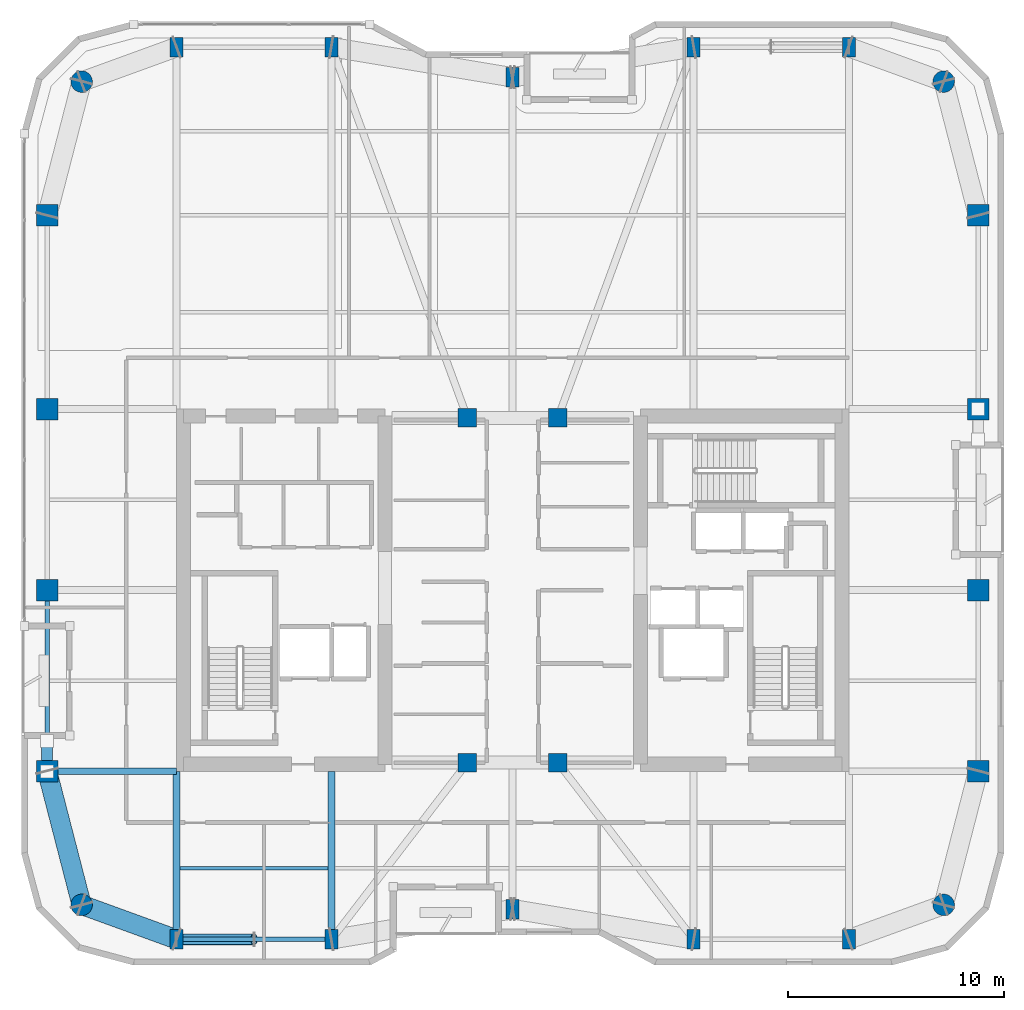
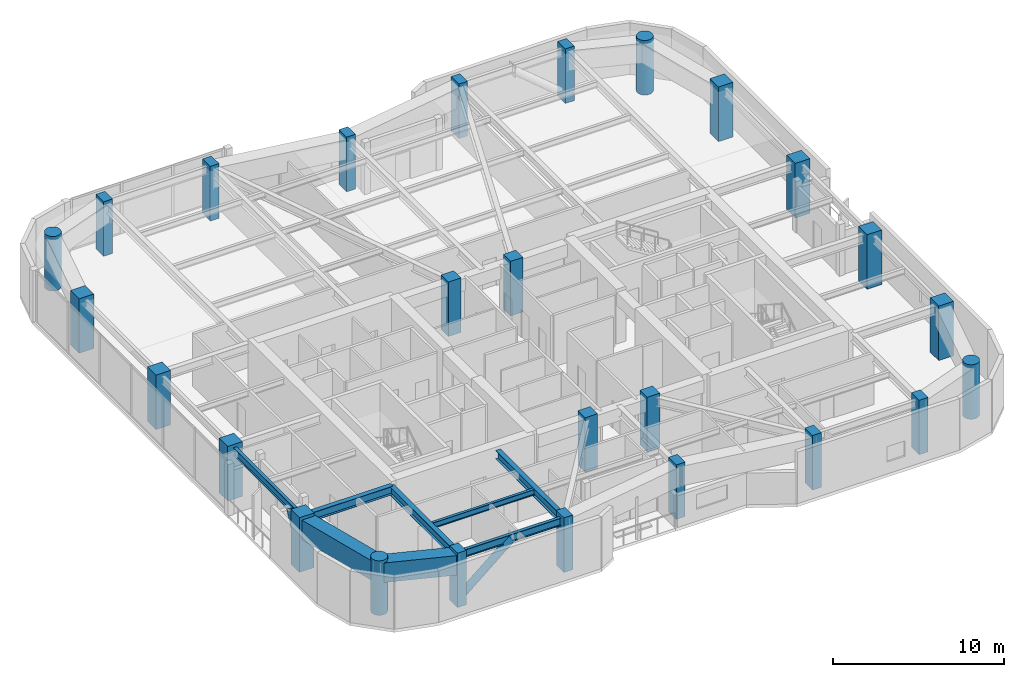
# One storey, part 1 of 21: 26 columns, 8 beams, 2 members.
"""IFC4 building model written with IfcOpenShell, lengths in metres."""

from ifc_helpers import new_model, si_unit, direction, frame, origin, origin_2d, place, context, subcontext, project, spatial, rectangle, hollow_rectangle, circle, hollow_circle, i_section, extrude, material, material_profile, profile_set, type_object, element, save


model = new_model("IFC4")

# Units and contexts
model_context = context("Model", 3, precision=1e-05, world=origin(), true_north=direction((0.0, 1.0)))
body_context = subcontext(model_context, "Body", "Model", "MODEL_VIEW")
ifc_project = project(units=[si_unit("LENGTHUNIT", "METRE"), si_unit("AREAUNIT", "SQUARE_METRE"), si_unit("VOLUMEUNIT", "CUBIC_METRE"), si_unit("PLANEANGLEUNIT", "RADIAN"), si_unit("MASSUNIT", "GRAM", prefix="KILO")], contexts=[model_context])

# Site, building, storey
site_placement = place(None, origin())
site = spatial("IfcSite", under=ifc_project, at=site_placement, CompositionType="ELEMENT")
building_placement = place(site_placement, origin())
building = spatial("IfcBuilding", under=site, at=building_placement, Name="Kiyonajd Concourse Tower", CompositionType="ELEMENT")
storey_placement = place(building_placement, frame((0.0, 0.0, 247.199951171875)))
storey = spatial("IfcBuildingStorey", under=building, at=storey_placement, Name="L62", CompositionType="ELEMENT", Elevation=247.199951171875)

# Columns
ifc_material_1 = material(Name="Concrete C60/75", Category="concrete")
ifc_material_profile_1 = material_profile(ifc_material_1, rectangle(XDim=0.60009765625, YDim=0.89990234375, at=origin_2d()), Name="RC-900x600")
ifc_profile_set_1 = profile_set([ifc_material_profile_1], Name="Concrete C60/75")
column_type_1 = type_object("IfcColumnType", Name="CL-BLADE-900", PredefinedType="COLUMN", material=ifc_profile_set_1)
for number, where, z_axis, x_axis, name in (
    (1, (32.39990234375, 19.800048828125, 0.0), (0.0, 0.0, 1.0), (1.0, 0.0, 0.0), "L62 Perimeter Bundled Tube Column"),
    (2, (32.39990234375, 61.199951171875, 0.0), (0.0, 0.0, 1.0), (1.0, 0.0, 0.0), "L62 Perimeter Bundled Tube Column"),
    (3, (39.60009765625, 19.800048828125, 0.0), (0.0, 0.0, 1.0), (1.0, 0.0, 0.0), "L62 Perimeter Bundled Tube Column"),
    (4, (39.60009765625, 61.199951171875, 0.0), (0.0, 0.0, 1.0), (1.0, 0.0, 0.0), "L62 Perimeter Bundled Tube Column"),
    (5, (48.0, 21.199951171875, 0.0), (0.0, 0.0, 1.0), (1.0, 0.0, 0.0), "L62 Perimeter Bundled Tube Column"),
    (6, (48.0, 59.800048828125, 0.0), (0.0, 0.0, 1.0), (1.0, 0.0, 0.0), "L62 Perimeter Bundled Tube Column"),
    (7, (56.39990234375, 19.800048828125, 0.0), (0.0, 0.0, 1.0), (1.0, 0.0, 0.0), "L62 Perimeter Bundled Tube Column"),
    (8, (56.39990234375, 61.199951171875, 0.0), (0.0, 0.0, 1.0), (1.0, 0.0, 0.0), "L62 Perimeter Bundled Tube Column"),
    (9, (63.60009765625, 19.800048828125, 0.0), (0.0, 0.0, 1.0), (1.0, 0.0, 0.0), "L62 Perimeter Bundled Tube Column"),
    (10, (63.60009765625, 61.199951171875, 0.0), (0.0, 0.0, 1.0), (1.0, 0.0, 0.0), "L62 Perimeter Bundled Tube Column"),
):
    element("IfcColumn", number, at=place(storey_placement, frame(where, z_axis=z_axis, x_axis=x_axis)), inside=storey, type_object=column_type_1, Name=name, PredefinedType="COLUMN", context=body_context, shape_type="SweptSolid", body=[
        extrude(rectangle(XDim=0.60009765625, YDim=0.89990234375, at=origin_2d()), origin(), (0.0, 0.0, 1.0), 3.900146484375),
    ])
ifc_material_profile_2 = material_profile(ifc_material_1, circle(Radius=0.5, at=origin_2d()), Name="RCC-D1000")
ifc_profile_set_2 = profile_set([ifc_material_profile_2], Name="Concrete C60/75")
column_type_2 = type_object("IfcColumnType", Name="CL-RND-1000", PredefinedType="COLUMN", material=ifc_profile_set_2)
for number, where, z_axis, x_axis, name in (
    (11, (28.0, 21.39990234375, 0.0), (0.0, 0.0, 1.0), (1.0, 0.0, 0.0), "L62 Bundled Tube Corner Column South West"),
    (12, (68.0, 21.39990234375, 0.0), (0.0, 0.0, 1.0), (1.0, 0.0, 0.0), "L62 Bundled Tube Corner Column South East"),
    (13, (68.0, 59.60009765625, 0.0), (0.0, 0.0, 1.0), (1.0, 0.0, 0.0), "L62 Bundled Tube Corner Column North East"),
    (14, (28.0, 59.60009765625, 0.0), (0.0, 0.0, 1.0), (1.0, 0.0, 0.0), "L62 Bundled Tube Corner Column North West"),
):
    element("IfcColumn", number, at=place(storey_placement, frame(where, z_axis=z_axis, x_axis=x_axis)), inside=storey, type_object=column_type_2, Name=name, PredefinedType="COLUMN", context=body_context, shape_type="SweptSolid", body=[
        extrude(circle(Radius=0.5, at=origin_2d()), origin(), (0.0, 0.0, 1.0), 3.900146484375),
    ])
ifc_material_profile_3 = material_profile(ifc_material_1, rectangle(XDim=1.0, YDim=1.0, at=origin_2d()), Name="RC-1000x1000")
ifc_profile_set_3 = profile_set([ifc_material_profile_3], Name="Concrete C60/75")
column_type_3 = type_object("IfcColumnType", Name="CL-TUBE-1000", PredefinedType="COLUMN", material=ifc_profile_set_3)
for number, where, z_axis, x_axis, name in (
    (15, (26.39990234375, 27.60009765625, 0.0), (0.0, 0.0, 1.0), (1.0, 0.0, 0.0), "L62 Perimeter Bundled Tube Column"),
    (16, (69.60009765625, 27.60009765625, 0.0), (0.0, 0.0, 1.0), (1.0, 0.0, 0.0), "L62 Perimeter Bundled Tube Column"),
    (17, (26.39990234375, 36.0, 0.0), (0.0, 0.0, 1.0), (1.0, 0.0, 0.0), "L62 Perimeter Bundled Tube Column"),
    (18, (69.60009765625, 36.0, 0.0), (0.0, 0.0, 1.0), (1.0, 0.0, 0.0), "L62 Perimeter Bundled Tube Column"),
    (19, (26.39990234375, 44.39990234375, 0.0), (0.0, 0.0, 1.0), (1.0, 0.0, 0.0), "L62 Perimeter Bundled Tube Column"),
    (20, (69.60009765625, 44.39990234375, 0.0), (0.0, 0.0, 1.0), (1.0, 0.0, 0.0), "L62 Perimeter Bundled Tube Column"),
    (21, (26.39990234375, 53.39990234375, 0.0), (0.0, 0.0, 1.0), (1.0, 0.0, 0.0), "L62 Perimeter Bundled Tube Column"),
    (22, (69.60009765625, 53.39990234375, 0.0), (0.0, 0.0, 1.0), (1.0, 0.0, 0.0), "L62 Perimeter Bundled Tube Column"),
):
    element("IfcColumn", number, at=place(storey_placement, frame(where, z_axis=z_axis, x_axis=x_axis)), inside=storey, type_object=column_type_3, Name=name, PredefinedType="COLUMN", context=body_context, shape_type="SweptSolid", body=[
        extrude(rectangle(XDim=1.0, YDim=1.0, at=origin_2d()), origin(), (0.0, 0.0, 1.0), 3.900146484375),
    ])
ifc_material_profile_4 = material_profile(ifc_material_1, rectangle(XDim=0.85009765625, YDim=0.85009765625, at=origin_2d()), Name="RC-850x850")
ifc_profile_set_4 = profile_set([ifc_material_profile_4], Name="Concrete C60/75")
column_type_4 = type_object("IfcColumnType", Name="CL-TUBE-850", PredefinedType="COLUMN", material=ifc_profile_set_4)
for number, where, z_axis, x_axis, name in (
    (23, (45.89990234375, 28.0, 0.0), (0.0, 0.0, 1.0), (1.0, 0.0, 0.0), "L62 Core Tie Column South West"),
    (24, (50.10009765625, 28.0, 0.0), (0.0, 0.0, 1.0), (1.0, 0.0, 0.0), "L62 Core Tie Column South East"),
    (25, (45.89990234375, 44.0, 0.0), (0.0, 0.0, 1.0), (1.0, 0.0, 0.0), "L62 Core Tie Column North West"),
    (26, (50.10009765625, 44.0, 0.0), (0.0, 0.0, 1.0), (1.0, 0.0, 0.0), "L62 Core Tie Column North East"),
):
    element("IfcColumn", number, at=place(storey_placement, frame(where, z_axis=z_axis, x_axis=x_axis)), inside=storey, type_object=column_type_4, Name=name, PredefinedType="COLUMN", context=body_context, shape_type="SweptSolid", body=[
        extrude(rectangle(XDim=0.85009765625, YDim=0.85009765625, at=origin_2d()), origin(), (0.0, 0.0, 1.0), 3.900146484375),
    ])

# Beams
ifc_material_2 = material(Name="Steel ASTM A992 Grade 50", Category="steel")
ifc_material_profile_5 = material_profile(ifc_material_2, i_section(OverallWidth=0.180908203125, OverallDepth=0.4169921875, WebThickness=0.010986328125, FlangeThickness=0.018310546875, at=origin_2d()), Name="W410X85")
ifc_profile_set_5 = profile_set([ifc_material_profile_5], Name="Steel ASTM A992 Grade 50")
beam_type_1 = type_object("IfcBeamType", Name="BM-JST-410", PredefinedType="JOIST", material=ifc_profile_set_5)
beam_1_placement = place(storey_placement, frame((32.56201171875, 23.10009765625, 3.471435546875), z_axis=(1.0, 0.0, 0.0), x_axis=(0.0, 1.0, 0.0)))
element("IfcBeam", 27, at=beam_1_placement, inside=storey, type_object=beam_type_1, Name="L62 Secondary Floor Joist", PredefinedType="JOIST", context=body_context, shape_type="SweptSolid", body=[
    extrude(i_section(OverallWidth=0.180908203125, OverallDepth=0.4169921875, WebThickness=0.010986328125, FlangeThickness=0.018310546875, at=origin_2d()), origin(), (0.0, 0.0, 1.0), 6.8759765625),
])
ifc_material_profile_6 = material_profile(ifc_material_2, i_section(OverallWidth=0.214111328125, OverallDepth=0.549072265625, WebThickness=0.0146484375, FlangeThickness=0.023681640625, at=origin_2d()), Name="W530X138")
ifc_profile_set_6 = profile_set([ifc_material_profile_6], Name="Steel ASTM A992 Grade 50")
beam_type_2 = type_object("IfcBeamType", Name="BM-SPAN-530A", PredefinedType="SPANDREL", material=ifc_profile_set_6)
beam_2_placement = place(storey_placement, frame((32.39990234375, 19.800048828125, 3.405517578125), z_axis=(1.0, 0.0, 0.0), x_axis=(0.0, 1.0, 0.0)))
element("IfcBeam", 28, at=beam_2_placement, inside=storey, type_object=beam_type_2, Name="L62 Perimeter Bundled Tube Spandrel", PredefinedType="SPANDREL", context=body_context, shape_type="SweptSolid", body=[
    extrude(i_section(OverallWidth=0.214111328125, OverallDepth=0.549072265625, WebThickness=0.0146484375, FlangeThickness=0.023681640625, at=origin_2d()), origin(), (0.0, 0.0, 1.0), 7.2001953125),
])
beam_3_placement = place(storey_placement, frame((26.39990234375, 36.0, 3.405517578125), z_axis=(0.0, -1.0, 0.0), x_axis=(1.0, 0.0, 0.0)))
element("IfcBeam", 29, at=beam_3_placement, inside=storey, type_object=beam_type_2, Name="L62 Perimeter Bundled Tube Spandrel", PredefinedType="SPANDREL", context=body_context, shape_type="SweptSolid", body=[
    extrude(i_section(OverallWidth=0.214111328125, OverallDepth=0.549072265625, WebThickness=0.0146484375, FlangeThickness=0.023681640625, at=origin_2d()), origin(), (0.0, 0.0, 1.0), 8.39990234375),
])
ifc_material_profile_7 = material_profile(ifc_material_2, i_section(OverallWidth=0.323974609375, OverallDepth=0.611083984375, WebThickness=0.0126953125, FlangeThickness=0.01904296875, at=origin_2d()), Name="W610X155")
ifc_profile_set_7 = profile_set([ifc_material_profile_7], Name="Steel ASTM A992 Grade 50")
beam_type_3 = type_object("IfcBeamType", Name="BM-TWR-610B", PredefinedType="BEAM", material=ifc_profile_set_7)
for number, where, z_axis, x_axis, name in (
    (30, (32.39990234375, 19.800048828125, 3.37451171875), (0.0, 1.0, 0.0), (-1.0, 0.0, 0.0), "L62 South Lease Girder"),
    (31, (39.60009765625, 19.800048828125, 3.37451171875), (0.0, 1.0, 0.0), (-1.0, 0.0, 0.0), "L62 South Lease Girder"),
):
    element("IfcBeam", number, at=place(storey_placement, frame(where, z_axis=z_axis, x_axis=x_axis)), inside=storey, type_object=beam_type_3, Name=name, PredefinedType="BEAM", context=body_context, shape_type="SweptSolid", body=[
        extrude(i_section(OverallWidth=0.323974609375, OverallDepth=0.611083984375, WebThickness=0.0126953125, FlangeThickness=0.01904296875, at=origin_2d()), origin(), (0.0, 0.0, 1.0), 7.800048828125),
    ])
beam_4_placement = place(storey_placement, frame((26.39990234375, 27.60009765625, 3.37451171875), z_axis=(1.0, 0.0, 0.0), x_axis=(0.0, 1.0, 0.0)))
element("IfcBeam", 32, at=beam_4_placement, inside=storey, type_object=beam_type_3, Name="L62 West Lease Girder", PredefinedType="BEAM", context=body_context, shape_type="SweptSolid", body=[
    extrude(i_section(OverallWidth=0.323974609375, OverallDepth=0.611083984375, WebThickness=0.0126953125, FlangeThickness=0.01904296875, at=origin_2d()), origin(), (0.0, 0.0, 1.0), 6.0),
])
ifc_material_3 = material(Name="Steel ASTM A572 Grade 50", Category="steel")
ifc_material_profile_8 = material_profile(ifc_material_3, hollow_rectangle(XDim=0.89990234375, YDim=1.39990234375, WallThickness=0.070068359375, at=origin_2d()), Name="BOX-1400x900x70")
ifc_profile_set_8 = profile_set([ifc_material_profile_8], Name="Steel ASTM A572 Grade 50")
beam_type_4 = type_object("IfcBeamType", Name="BM-XFER-1400", PredefinedType="BEAM", material=ifc_profile_set_8)
beam_5_placement = place(storey_placement, frame((26.39990234375, 27.60009765625, 2.97998046875), z_axis=(0.249884937687, -0.968275538221, 0.0), x_axis=(0.968275538221, 0.249884937687, 0.0)))
element("IfcBeam", 33, at=beam_5_placement, inside=storey, type_object=beam_type_4, Name="L62 Perimeter Bundled Tube Spandrel", PredefinedType="BEAM", context=body_context, shape_type="SweptSolid", body=[
    extrude(hollow_rectangle(XDim=0.89990234375, YDim=1.39990234375, WallThickness=0.070068359375, at=origin_2d()), origin(), (0.0, 0.0, 1.0), 6.4033203125),
])
beam_6_placement = place(storey_placement, frame((28.0, 21.39990234375, 2.97998046875), z_axis=(0.939801036019, -0.341722127901, 0.0), x_axis=(0.341722127901, 0.939801036019, 0.0)))
element("IfcBeam", 34, at=beam_6_placement, inside=storey, type_object=beam_type_4, Name="L62 Perimeter Bundled Tube Spandrel", PredefinedType="BEAM", context=body_context, shape_type="SweptSolid", body=[
    extrude(hollow_rectangle(XDim=0.89990234375, YDim=1.39990234375, WallThickness=0.070068359375, at=origin_2d()), origin(), (0.0, 0.0, 1.0), 4.681640625),
])

# Members
ifc_material_4 = material(Name="Steel ASTM A500 Grade C", Category="steel")
ifc_material_profile_9 = material_profile(ifc_material_4, hollow_circle(Radius=0.25390625, WallThickness=0.02197265625, at=origin_2d()), Name="CHS-508x22")
ifc_profile_set_9 = profile_set([ifc_material_profile_9], Name="Steel ASTM A500 Grade C")
member_type = type_object("IfcMemberType", Name="MB-PB-MID", PredefinedType="BRACE", material=ifc_profile_set_9)
member_1_placement = place(storey_placement, frame((32.39990234375, 19.800048828125, 0.300048828125), z_axis=(0.765082043761, 0.0, 0.643932811957), x_axis=(0.0, 1.0, 0.0)))
element("IfcMember", 35, at=member_1_placement, inside=storey, type_object=member_type, Name="L62 Upper Zone Hollow Tube Brace PBS", PredefinedType="BRACE", context=body_context, shape_type="SweptSolid", body=[
    extrude(hollow_circle(Radius=0.25390625, WallThickness=0.02197265625, at=origin_2d()), origin(), (0.0, 0.0, 1.0), 4.70556640625),
])
member_2_placement = place(storey_placement, frame((26.39990234375, 27.60009765625, 0.300048828125), z_axis=(0.0, 0.419410666774, 0.907796614114), x_axis=(-1.0, 0.0, 0.0)))
element("IfcMember", 36, at=member_2_placement, inside=storey, type_object=member_type, Name="L62 Upper Zone Hollow Tube Brace PBW", PredefinedType="BRACE", context=body_context, shape_type="SweptSolid", body=[
    extrude(hollow_circle(Radius=0.25390625, WallThickness=0.02197265625, at=origin_2d()), origin(), (0.0, 0.0, 1.0), 3.337890625),
])

save(model, "model.ifc")
